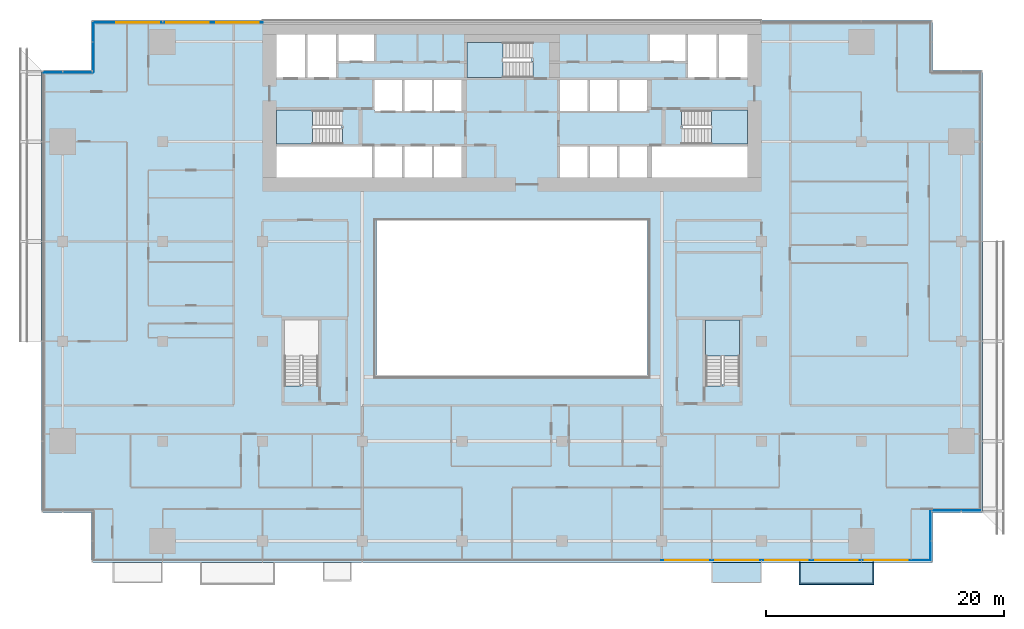
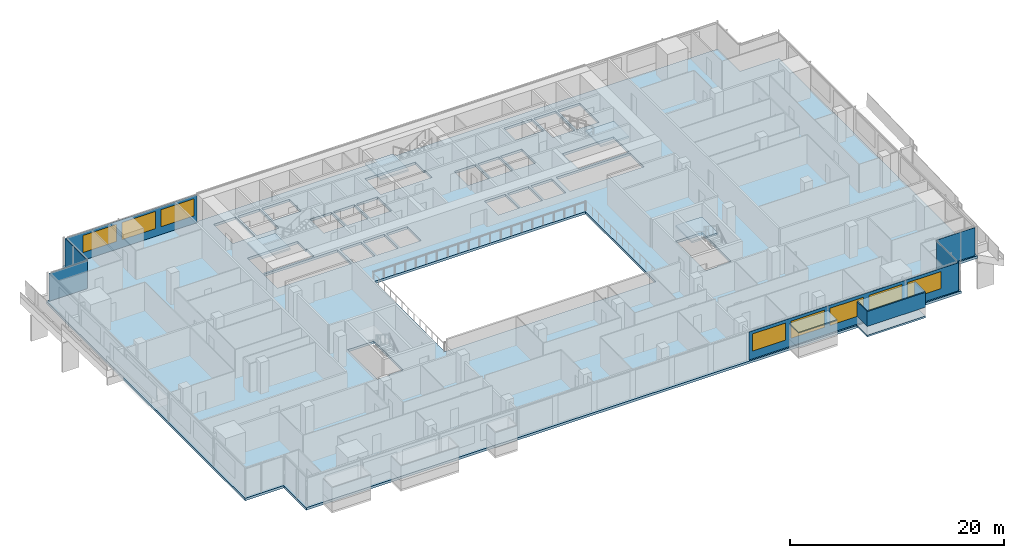
# One storey, part 16 of 28: 9 plates, 8 windows, 6 slabs, 8 openings, 10 elements without a shape of their own.
"""IFC4 building model written with IfcOpenShell, lengths in metres."""

from ifc_helpers import new_model, si_unit, direction, frame, frame_2d, origin, place, context, subcontext, project, spatial, polyline, rectangle, outline, extrude, material, layer, layer_set, type_object, element, fill, aggregate, save


model = new_model("IFC4")

# Units and contexts
model_context = context("Model", 3, precision=1e-05, world=origin(), true_north=direction((0.0, 1.0)))
body_context = subcontext(model_context, "Body", "Model", "MODEL_VIEW")
ifc_project = project(units=[si_unit("LENGTHUNIT", "METRE"), si_unit("AREAUNIT", "SQUARE_METRE"), si_unit("VOLUMEUNIT", "CUBIC_METRE"), si_unit("PLANEANGLEUNIT", "RADIAN"), si_unit("MASSUNIT", "GRAM", prefix="KILO")], contexts=[model_context])

# Site, building, storey
site_placement = place(None, origin())
site = spatial("IfcSite", under=ifc_project, at=site_placement, CompositionType="ELEMENT")
building_placement = place(site_placement, origin())
building = spatial("IfcBuilding", under=site, at=building_placement, Name="Saffron Gate Tower", CompositionType="ELEMENT")
storey_placement = place(building_placement, frame((0.0, 0.0, 51.60009765625)))
storey = spatial("IfcBuildingStorey", under=building, at=storey_placement, Name="L11", CompositionType="ELEMENT", Elevation=51.60009765625)

# Curtain wall, plate, openings, windows
ifc_material_1 = material(Name="Aluminium, bronze anodised", Category="aluminium")
curtain_wall_type_1 = type_object("IfcCurtainWallType", Name="CWS1 curtain wall front facade", PredefinedType="NOTDEFINED", material=ifc_material_1)
curtain_wall_1_placement = place(storey_placement, origin())
curtain_wall_1 = element("IfcCurtainWall", 1, at=curtain_wall_1_placement, inside=storey, type_object=curtain_wall_type_1, Name="CWS1 run 1", PredefinedType="NOTDEFINED")
ifc_material_2 = material(Name="Fritted bronze-tinted laminated glass", Category="glass")
ifc_layer_1 = layer(ifc_material_2, 0.028076171875)
ifc_layer_set_1 = layer_set([ifc_layer_1], Name="CWS1 fixed glass")
plate_type_1 = type_object("IfcPlateType", Name="CWS1 fixed glass", PredefinedType="CURTAIN_PANEL", material=ifc_layer_set_1)
plate_1_placement = place(storey_placement, frame((100.169921875, 30.174072265625, 0.0), z_axis=(0.0, 0.0, 1.0), x_axis=(1.0, 0.0, 0.0)))
plate_1 = element("IfcPlate", 2, at=plate_1_placement, type_object=plate_type_1, Name="CWS1 glass panel", PredefinedType="CURTAIN_PANEL", context=body_context, shape_type="SweptSolid", body=[
    extrude(rectangle(XDim=22.64208984375, YDim=0.028076171875, at=frame_2d((11.321044921875, 0.0))), origin(), (0.0, 0.0, 1.0), 3.199951171875),
])
opening_1_placement = place(plate_1_placement, frame((0.330078125, 0.0, 0.89990234375)))
opening_1 = element("IfcOpeningElement", 3, at=opening_1_placement, cuts=plate_1, Name="Opening W1", PredefinedType="OPENING", context=body_context, shape_type="SweptSolid", body=[
    extrude(rectangle(XDim=3.60009765625, YDim=1.949951171875, at=frame_2d((1.800048828125, 0.97509765625))), frame((0.0, 0.02392578125, 0.0), z_axis=(0.0, -1.0, 0.0), x_axis=(1.0, 0.0, 0.0)), (0.0, 0.0, 1.0), 0.048095703125),
])
opening_2_placement = place(plate_1_placement, frame((4.530029296875, 0.0, 0.89990234375)))
opening_2 = element("IfcOpeningElement", 4, at=opening_2_placement, cuts=plate_1, Name="Opening W1", PredefinedType="OPENING", context=body_context, shape_type="SweptSolid", body=[
    extrude(rectangle(XDim=3.60009765625, YDim=1.949951171875, at=frame_2d((1.800048828125, 0.97509765625))), frame((0.0, 0.02392578125, 0.0), z_axis=(0.0, -1.0, 0.0), x_axis=(1.0, 0.0, 0.0)), (0.0, 0.0, 1.0), 0.048095703125),
])
opening_3_placement = place(plate_1_placement, frame((8.72998046875, 0.0, 0.89990234375)))
opening_3 = element("IfcOpeningElement", 5, at=opening_3_placement, cuts=plate_1, Name="Opening W1", PredefinedType="OPENING", context=body_context, shape_type="SweptSolid", body=[
    extrude(rectangle(XDim=3.60009765625, YDim=1.949951171875, at=frame_2d((1.800048828125, 0.97509765625))), frame((0.0, 0.02392578125, 0.0), z_axis=(0.0, -1.0, 0.0), x_axis=(1.0, 0.0, 0.0)), (0.0, 0.0, 1.0), 0.048095703125),
])
opening_4_placement = place(plate_1_placement, frame((12.929931640625, 0.0, 0.89990234375)))
opening_4 = element("IfcOpeningElement", 6, at=opening_4_placement, cuts=plate_1, Name="Opening W1", PredefinedType="OPENING", context=body_context, shape_type="SweptSolid", body=[
    extrude(rectangle(XDim=3.60009765625, YDim=1.949951171875, at=frame_2d((1.800048828125, 0.97509765625))), frame((0.0, 0.02392578125, 0.0), z_axis=(0.0, -1.0, 0.0), x_axis=(1.0, 0.0, 0.0)), (0.0, 0.0, 1.0), 0.048095703125),
])
opening_5_placement = place(plate_1_placement, frame((17.1298828125, 0.0, 0.89990234375)))
opening_5 = element("IfcOpeningElement", 7, at=opening_5_placement, cuts=plate_1, Name="Opening W1", PredefinedType="OPENING", context=body_context, shape_type="SweptSolid", body=[
    extrude(rectangle(XDim=3.60009765625, YDim=1.949951171875, at=frame_2d((1.800048828125, 0.97509765625))), frame((0.0, 0.02392578125, 0.0), z_axis=(0.0, -1.0, 0.0), x_axis=(1.0, 0.0, 0.0)), (0.0, 0.0, 1.0), 0.048095703125),
])
ifc_material_3 = material(Name="Fritted bronze-tinted laminated glass in bronze frame", Category="glass")
ifc_layer_2 = layer(ifc_material_3, 0.06005859375)
ifc_layer_set_2 = layer_set([ifc_layer_2], Name="W1 operable panel 3600x1950")
window_type = type_object("IfcWindowType", Name="W1 operable panel 3600x1950", PartitioningType="DOUBLE_PANEL_HORIZONTAL", PredefinedType="WINDOW", material=ifc_layer_set_2)
window_1_placement = place(opening_1_placement, origin())
window_1 = element("IfcWindow", 8, at=window_1_placement, type_object=window_type, Name="W1 operable panel", OverallHeight=1.949951171875, OverallWidth=3.60009765625, PartitioningType="SINGLE_PANEL", PredefinedType="WINDOW", context=body_context, shape_type="SweptSolid", body=[
    extrude(rectangle(XDim=3.60009765625, YDim=1.949951171875, at=frame_2d((1.800048828125, 0.97509765625))), frame((0.0, 0.013671875, 0.0), z_axis=(0.0, -1.0, 0.0), x_axis=(1.0, 0.0, 0.0)), (0.0, 0.0, 1.0), 0.027587890625),
])
fill(opening_1, window_1)
window_2_placement = place(opening_2_placement, origin())
window_2 = element("IfcWindow", 9, at=window_2_placement, type_object=window_type, Name="W1 operable panel", OverallHeight=1.949951171875, OverallWidth=3.60009765625, PartitioningType="SINGLE_PANEL", PredefinedType="WINDOW", context=body_context, shape_type="SweptSolid", body=[
    extrude(rectangle(XDim=3.60009765625, YDim=1.949951171875, at=frame_2d((1.800048828125, 0.97509765625))), frame((0.0, 0.013671875, 0.0), z_axis=(0.0, -1.0, 0.0), x_axis=(1.0, 0.0, 0.0)), (0.0, 0.0, 1.0), 0.027587890625),
])
fill(opening_2, window_2)
window_3_placement = place(opening_3_placement, origin())
window_3 = element("IfcWindow", 10, at=window_3_placement, type_object=window_type, Name="W1 operable panel", OverallHeight=1.949951171875, OverallWidth=3.60009765625, PartitioningType="SINGLE_PANEL", PredefinedType="WINDOW", context=body_context, shape_type="SweptSolid", body=[
    extrude(rectangle(XDim=3.60009765625, YDim=1.949951171875, at=frame_2d((1.800048828125, 0.97509765625))), frame((0.0, 0.013671875, 0.0), z_axis=(0.0, -1.0, 0.0), x_axis=(1.0, 0.0, 0.0)), (0.0, 0.0, 1.0), 0.027587890625),
])
fill(opening_3, window_3)
window_4_placement = place(opening_4_placement, origin())
window_4 = element("IfcWindow", 11, at=window_4_placement, type_object=window_type, Name="W1 operable panel", OverallHeight=1.949951171875, OverallWidth=3.60009765625, PartitioningType="SINGLE_PANEL", PredefinedType="WINDOW", context=body_context, shape_type="SweptSolid", body=[
    extrude(rectangle(XDim=3.60009765625, YDim=1.949951171875, at=frame_2d((1.800048828125, 0.97509765625))), frame((0.0, 0.013671875, 0.0), z_axis=(0.0, -1.0, 0.0), x_axis=(1.0, 0.0, 0.0)), (0.0, 0.0, 1.0), 0.027587890625),
])
fill(opening_4, window_4)
window_5_placement = place(opening_5_placement, origin())
window_5 = element("IfcWindow", 12, at=window_5_placement, type_object=window_type, Name="W1 operable panel", OverallHeight=1.949951171875, OverallWidth=3.60009765625, PartitioningType="SINGLE_PANEL", PredefinedType="WINDOW", context=body_context, shape_type="SweptSolid", body=[
    extrude(rectangle(XDim=3.60009765625, YDim=1.949951171875, at=frame_2d((1.800048828125, 0.97509765625))), frame((0.0, 0.013671875, 0.0), z_axis=(0.0, -1.0, 0.0), x_axis=(1.0, 0.0, 0.0)), (0.0, 0.0, 1.0), 0.027587890625),
])
fill(opening_5, window_5)
aggregate(curtain_wall_1, [plate_1, window_1, window_2, window_3, window_4, window_5])

curtain_wall_type_2 = type_object("IfcCurtainWallType", Name="CWS3 curtain wall rear facade", PredefinedType="NOTDEFINED", material=ifc_material_1)
curtain_wall_2_placement = place(storey_placement, origin())
curtain_wall_2 = element("IfcCurtainWall", 13, at=curtain_wall_2_placement, inside=storey, type_object=curtain_wall_type_2, Name="CWS3 run 7", PredefinedType="NOTDEFINED")
ifc_material_4 = material(Name="Fritted grey-tinted laminated glass", Category="glass")
ifc_layer_3 = layer(ifc_material_4, 0.028076171875)
ifc_layer_set_3 = layer_set([ifc_layer_3], Name="CWS3 fixed glass")
plate_type_2 = type_object("IfcPlateType", Name="CWS3 fixed glass", PredefinedType="CURTAIN_PANEL", material=ifc_layer_set_3)
plate_2_placement = place(storey_placement, frame((66.635009765625, 75.426025390625, 0.0), z_axis=(0.0, 0.0, 1.0), x_axis=(-1.0, 0.0, 0.0)))
plate_2 = element("IfcPlate", 14, at=plate_2_placement, type_object=plate_type_2, Name="CWS3 glass panel", PredefinedType="CURTAIN_PANEL", context=body_context, shape_type="SweptSolid", body=[
    extrude(rectangle(XDim=14.2470703125, YDim=0.028076171875, at=frame_2d((7.12353515625, 0.0))), origin(), (0.0, 0.0, 1.0), 3.199951171875),
])
opening_6_placement = place(plate_2_placement, frame((0.3349609375, 0.0, 0.89990234375)))
opening_6 = element("IfcOpeningElement", 15, at=opening_6_placement, cuts=plate_2, Name="Opening W1", PredefinedType="OPENING", context=body_context, shape_type="SweptSolid", body=[
    extrude(rectangle(XDim=3.60009765625, YDim=1.949951171875, at=frame_2d((1.800048828125, 0.97509765625))), frame((0.0, 0.02392578125, 0.0), z_axis=(0.0, -1.0, 0.0), x_axis=(1.0, 0.0, 0.0)), (0.0, 0.0, 1.0), 0.048095703125),
])
opening_7_placement = place(plate_2_placement, frame((4.534912109375, 0.0, 0.89990234375)))
opening_7 = element("IfcOpeningElement", 16, at=opening_7_placement, cuts=plate_2, Name="Opening W1", PredefinedType="OPENING", context=body_context, shape_type="SweptSolid", body=[
    extrude(rectangle(XDim=3.60009765625, YDim=1.949951171875, at=frame_2d((1.800048828125, 0.97509765625))), frame((0.0, 0.02392578125, 0.0), z_axis=(0.0, -1.0, 0.0), x_axis=(1.0, 0.0, 0.0)), (0.0, 0.0, 1.0), 0.048095703125),
])
opening_8_placement = place(plate_2_placement, frame((8.735107421875, 0.0, 0.89990234375)))
opening_8 = element("IfcOpeningElement", 17, at=opening_8_placement, cuts=plate_2, Name="Opening W1", PredefinedType="OPENING", context=body_context, shape_type="SweptSolid", body=[
    extrude(rectangle(XDim=3.60009765625, YDim=1.949951171875, at=frame_2d((1.800048828125, 0.97509765625))), frame((0.0, 0.02392578125, 0.0), z_axis=(0.0, -1.0, 0.0), x_axis=(1.0, 0.0, 0.0)), (0.0, 0.0, 1.0), 0.048095703125),
])
window_6_placement = place(opening_6_placement, origin())
window_6 = element("IfcWindow", 18, at=window_6_placement, type_object=window_type, Name="W1 operable panel", OverallHeight=1.949951171875, OverallWidth=3.60009765625, PartitioningType="SINGLE_PANEL", PredefinedType="WINDOW", context=body_context, shape_type="SweptSolid", body=[
    extrude(rectangle(XDim=3.60009765625, YDim=1.949951171875, at=frame_2d((1.800048828125, 0.97509765625))), frame((0.0, 0.013671875, 0.0), z_axis=(0.0, -1.0, 0.0), x_axis=(1.0, 0.0, 0.0)), (0.0, 0.0, 1.0), 0.027587890625),
])
fill(opening_6, window_6)
window_7_placement = place(opening_7_placement, origin())
window_7 = element("IfcWindow", 19, at=window_7_placement, type_object=window_type, Name="W1 operable panel", OverallHeight=1.949951171875, OverallWidth=3.60009765625, PartitioningType="SINGLE_PANEL", PredefinedType="WINDOW", context=body_context, shape_type="SweptSolid", body=[
    extrude(rectangle(XDim=3.60009765625, YDim=1.949951171875, at=frame_2d((1.800048828125, 0.97509765625))), frame((0.0, 0.013671875, 0.0), z_axis=(0.0, -1.0, 0.0), x_axis=(1.0, 0.0, 0.0)), (0.0, 0.0, 1.0), 0.027587890625),
])
fill(opening_7, window_7)
window_8_placement = place(opening_8_placement, origin())
window_8 = element("IfcWindow", 20, at=window_8_placement, type_object=window_type, Name="W1 operable panel", OverallHeight=1.949951171875, OverallWidth=3.60009765625, PartitioningType="SINGLE_PANEL", PredefinedType="WINDOW", context=body_context, shape_type="SweptSolid", body=[
    extrude(rectangle(XDim=3.60009765625, YDim=1.949951171875, at=frame_2d((1.800048828125, 0.97509765625))), frame((0.0, 0.013671875, 0.0), z_axis=(0.0, -1.0, 0.0), x_axis=(1.0, 0.0, 0.0)), (0.0, 0.0, 1.0), 0.027587890625),
])
fill(opening_8, window_8)
aggregate(curtain_wall_2, [plate_2, window_6, window_7, window_8])

# Curtain wall, plate
curtain_wall_type_3 = type_object("IfcCurtainWallType", Name="CWS4 curtain wall corner returns", PredefinedType="NOTDEFINED", material=ifc_material_1)
curtain_wall_3_placement = place(storey_placement, origin())
curtain_wall_3 = element("IfcCurtainWall", 21, at=curtain_wall_3_placement, inside=storey, type_object=curtain_wall_type_3, Name="CWS4 run 2", PredefinedType="NOTDEFINED")
ifc_layer_4 = layer(ifc_material_2, 0.028076171875)
ifc_layer_set_4 = layer_set([ifc_layer_4], Name="CWS4 fixed glass")
plate_type_3 = type_object("IfcPlateType", Name="CWS4 fixed glass", PredefinedType="CURTAIN_PANEL", material=ifc_layer_set_4)
plate_3_placement = place(storey_placement, frame((122.825927734375, 30.18798828125, 0.0), z_axis=(0.0, 0.0, 1.0), x_axis=(0.0, 1.0, 0.0)))
plate_3 = element("IfcPlate", 22, at=plate_3_placement, type_object=plate_type_3, Name="CWS4 glass panel", PredefinedType="CURTAIN_PANEL", context=body_context, shape_type="SweptSolid", body=[
    extrude(rectangle(XDim=4.172119140625, YDim=0.028076171875, at=frame_2d((2.0859375, 0.0))), origin(), (0.0, 0.0, 1.0), 3.199951171875),
])
aggregate(curtain_wall_3, [plate_3])

curtain_wall_4_placement = place(storey_placement, origin())
curtain_wall_4 = element("IfcCurtainWall", 23, at=curtain_wall_4_placement, inside=storey, type_object=curtain_wall_type_3, Name="CWS4 run 3", PredefinedType="NOTDEFINED")
plate_4_placement = place(storey_placement, frame((122.840087890625, 34.3740234375, 0.0), z_axis=(0.0, 0.0, 1.0), x_axis=(1.0, 0.0, 0.0)))
plate_4 = element("IfcPlate", 24, at=plate_4_placement, type_object=plate_type_3, Name="CWS4 glass panel", PredefinedType="CURTAIN_PANEL", context=body_context, shape_type="SweptSolid", body=[
    extrude(rectangle(XDim=4.171875, YDim=0.028076171875, at=frame_2d((2.0859375, 0.0))), origin(), (0.0, 0.0, 1.0), 3.199951171875),
])
aggregate(curtain_wall_4, [plate_4])

curtain_wall_5_placement = place(storey_placement, origin())
curtain_wall_5 = element("IfcCurtainWall", 25, at=curtain_wall_5_placement, inside=storey, type_object=curtain_wall_type_3, Name="CWS4 run 8", PredefinedType="NOTDEFINED")
plate_5_placement = place(storey_placement, frame((52.3740234375, 75.412109375, 0.0), z_axis=(0.0, 0.0, 1.0), x_axis=(0.0, -1.0, 0.0)))
plate_5 = element("IfcPlate", 26, at=plate_5_placement, type_object=plate_type_3, Name="CWS4 glass panel", PredefinedType="CURTAIN_PANEL", context=body_context, shape_type="SweptSolid", body=[
    extrude(rectangle(XDim=4.172119140625, YDim=0.028076171875, at=frame_2d((2.0859375, 0.0))), origin(), (0.0, 0.0, 1.0), 3.199951171875),
])
aggregate(curtain_wall_5, [plate_5])

curtain_wall_6_placement = place(storey_placement, origin())
curtain_wall_6 = element("IfcCurtainWall", 27, at=curtain_wall_6_placement, inside=storey, type_object=curtain_wall_type_3, Name="CWS4 run 9", PredefinedType="NOTDEFINED")
plate_6_placement = place(storey_placement, frame((52.360107421875, 71.22607421875, 0.0), z_axis=(0.0, 0.0, 1.0), x_axis=(-1.0, 0.0, 0.0)))
plate_6 = element("IfcPlate", 28, at=plate_6_placement, type_object=plate_type_3, Name="CWS4 glass panel", PredefinedType="CURTAIN_PANEL", context=body_context, shape_type="SweptSolid", body=[
    extrude(rectangle(XDim=4.172119140625, YDim=0.028076171875, at=frame_2d((2.0859375, 0.0))), origin(), (0.0, 0.0, 1.0), 3.199951171875),
])
aggregate(curtain_wall_6, [plate_6])

# Slab
ifc_material_5 = material(Name="Concrete C40", Category="concrete")
ifc_layer_5 = layer(ifc_material_5, 0.280029296875)
ifc_layer_set_5 = layer_set([ifc_layer_5], Name="S2 FLOOR SLAB 280 CONCRETE C40")
slab_type_1 = type_object("IfcSlabType", Name="S2 FLOOR SLAB 280 CONCRETE C40", PredefinedType="FLOOR", material=ifc_layer_set_5)
slab_1_placement = place(storey_placement, frame((0.0, 0.0, -0.280029296875)))
element("IfcSlab", 29, at=slab_1_placement, inside=storey, type_object=slab_type_1, Name="S2 FLOOR SLAB", PredefinedType="FLOOR", context=body_context, shape_type="SweptSolid", body=[
    extrude(outline(polyline([(48.0, 34.199951171875), (52.199951171875, 34.199951171875), (52.199951171875, 30.0), (123.0, 30.0), (123.0, 34.199951171875), (127.199951171875, 34.199951171875), (127.199951171875, 71.39990234375), (123.0, 71.39990234375), (123.0, 75.60009765625), (52.199951171875, 75.60009765625), (52.199951171875, 71.39990234375), (48.0, 71.39990234375), (48.0, 34.199951171875)]), holes=[polyline([(67.800048828125, 62.39990234375), (67.800048828125, 65.0), (75.800048828125, 65.0), (75.800048828125, 62.39990234375), (67.800048828125, 62.39990234375)]), polyline([(67.800048828125, 65.199951171875), (67.800048828125, 68.050048828125), (73.25, 68.050048828125), (73.25, 66.550048828125), (73.34912109375, 66.550048828125), (73.34912109375, 65.199951171875), (67.800048828125, 65.199951171875)]), polyline([(67.800048828125, 70.800048828125), (67.800048828125, 74.39990234375), (70.199951171875, 74.39990234375), (70.199951171875, 70.800048828125), (67.800048828125, 70.800048828125)]), polyline([(68.449951171875, 44.85107421875), (68.449951171875, 50.39990234375), (71.300048828125, 50.39990234375), (71.300048828125, 44.949951171875), (69.800048828125, 44.949951171875), (69.800048828125, 44.85107421875), (68.449951171875, 44.85107421875)]), polyline([(70.39990234375, 70.800048828125), (70.39990234375, 74.39990234375), (72.800048828125, 74.39990234375), (72.800048828125, 70.800048828125), (70.39990234375, 70.800048828125)]), polyline([(73.0, 72.199951171875), (73.0, 74.39990234375), (76.0, 74.39990234375), (76.0, 72.199951171875), (73.0, 72.199951171875)]), polyline([(76.050048828125, 62.39990234375), (76.050048828125, 65.0), (78.35009765625, 65.0), (78.35009765625, 62.39990234375), (76.050048828125, 62.39990234375)]), polyline([(76.050048828125, 68.0), (76.050048828125, 70.60009765625), (78.35009765625, 70.60009765625), (78.35009765625, 68.0), (76.050048828125, 68.0)]), polyline([(76.199951171875, 45.60009765625), (76.199951171875, 58.800048828125), (99.0, 58.800048828125), (99.0, 45.60009765625), (76.199951171875, 45.60009765625)]), polyline([(78.550048828125, 62.39990234375), (78.550048828125, 65.0), (80.85009765625, 65.0), (80.85009765625, 62.39990234375), (78.550048828125, 62.39990234375)]), polyline([(78.550048828125, 68.0), (78.550048828125, 70.60009765625), (80.85009765625, 70.60009765625), (80.85009765625, 68.0), (78.550048828125, 68.0)]), polyline([(81.050048828125, 62.39990234375), (81.050048828125, 65.0), (83.35009765625, 65.0), (83.35009765625, 62.39990234375), (81.050048828125, 62.39990234375)]), polyline([(81.050048828125, 68.0), (81.050048828125, 70.60009765625), (83.35009765625, 70.60009765625), (83.35009765625, 68.0), (81.050048828125, 68.0)]), polyline([(83.800048828125, 70.800048828125), (83.800048828125, 73.75), (89.25, 73.75), (89.25, 72.14990234375), (89.34912109375, 72.14990234375), (89.34912109375, 70.800048828125), (83.800048828125, 70.800048828125)]), polyline([(91.64990234375, 62.39990234375), (91.64990234375, 65.0), (93.949951171875, 65.0), (93.949951171875, 62.39990234375), (91.64990234375, 62.39990234375)]), polyline([(91.64990234375, 68.0), (91.64990234375, 70.60009765625), (93.949951171875, 70.60009765625), (93.949951171875, 68.0), (91.64990234375, 68.0)]), polyline([(94.14990234375, 62.39990234375), (94.14990234375, 65.0), (96.449951171875, 65.0), (96.449951171875, 62.39990234375), (94.14990234375, 62.39990234375)]), polyline([(94.14990234375, 68.0), (94.14990234375, 70.60009765625), (96.449951171875, 70.60009765625), (96.449951171875, 68.0), (94.14990234375, 68.0)]), polyline([(96.64990234375, 62.39990234375), (96.64990234375, 65.0), (98.949951171875, 65.0), (98.949951171875, 62.39990234375), (96.64990234375, 62.39990234375)]), polyline([(96.64990234375, 68.0), (96.64990234375, 70.60009765625), (98.949951171875, 70.60009765625), (98.949951171875, 68.0), (96.64990234375, 68.0)]), polyline([(99.199951171875, 72.199951171875), (99.199951171875, 74.39990234375), (102.199951171875, 74.39990234375), (102.199951171875, 72.199951171875), (99.199951171875, 72.199951171875)]), polyline([(99.39990234375, 62.39990234375), (99.39990234375, 65.0), (107.39990234375, 65.0), (107.39990234375, 62.39990234375), (99.39990234375, 62.39990234375)]), polyline([(101.85107421875, 66.699951171875), (101.85107421875, 68.050048828125), (107.39990234375, 68.050048828125), (107.39990234375, 65.199951171875), (101.949951171875, 65.199951171875), (101.949951171875, 66.699951171875), (101.85107421875, 66.699951171875)]), polyline([(102.39990234375, 70.800048828125), (102.39990234375, 74.39990234375), (104.800048828125, 74.39990234375), (104.800048828125, 70.800048828125), (102.39990234375, 70.800048828125)]), polyline([(103.89990234375, 44.85107421875), (103.89990234375, 50.39990234375), (106.75, 50.39990234375), (106.75, 44.949951171875), (105.25, 44.949951171875), (105.25, 44.85107421875), (103.89990234375, 44.85107421875)]), polyline([(105.0, 70.800048828125), (105.0, 74.39990234375), (107.39990234375, 74.39990234375), (107.39990234375, 70.800048828125), (105.0, 70.800048828125)])]), origin(), (0.0, 0.0, 1.0), 0.280029296875),
])

# Stair, slab
stair_type = type_object("IfcStairType", Name="ST7 Stair 1350 wide, 20 risers of 180", PredefinedType="HALF_TURN_STAIR", material=ifc_material_5)
stair_1_placement = place(storey_placement, origin())
stair_1 = element("IfcStair", 30, at=stair_1_placement, inside=storey, type_object=stair_type, Name="L11 Exit stair A", PredefinedType="HALF_TURN_STAIR")
ifc_layer_6 = layer(ifc_material_5, 0.199951171875)
ifc_layer_set_6 = layer_set([ifc_layer_6], Name="SL1 Stair landing 200")
slab_type_2 = type_object("IfcSlabType", Name="SL1 Stair landing 200", PredefinedType="LANDING", material=ifc_layer_set_6)
slab_2_placement = place(storey_placement, frame((0.0, 0.0, 1.599853515625)))
slab_2 = element("IfcSlab", 31, at=slab_2_placement, type_object=slab_type_2, Name="ST-A landing 1", PredefinedType="LANDING", context=body_context, shape_type="SweptSolid", body=[
    extrude(outline(polyline([(70.830078125, 68.050048828125), (67.800048828125, 68.050048828125), (67.800048828125, 65.199951171875), (70.830078125, 65.199951171875), (70.830078125, 68.050048828125)])), origin(), (0.0, 0.0, 1.0), 0.199951171875),
])
aggregate(stair_1, [slab_2])

stair_2_placement = place(storey_placement, origin())
stair_2 = element("IfcStair", 32, at=stair_2_placement, inside=storey, type_object=stair_type, Name="L11 Exit stair B", PredefinedType="HALF_TURN_STAIR")
slab_3_placement = place(storey_placement, frame((0.0, 0.0, 1.599853515625)))
slab_3 = element("IfcSlab", 33, at=slab_3_placement, type_object=slab_type_2, Name="ST-B landing 1", PredefinedType="LANDING", context=body_context, shape_type="SweptSolid", body=[
    extrude(outline(polyline([(104.3701171875, 65.199951171875), (107.39990234375, 65.199951171875), (107.39990234375, 68.050048828125), (104.3701171875, 68.050048828125), (104.3701171875, 65.199951171875)])), origin(), (0.0, 0.0, 1.0), 0.199951171875),
])
aggregate(stair_2, [slab_3])

stair_3_placement = place(storey_placement, origin())
stair_3 = element("IfcStair", 34, at=stair_3_placement, inside=storey, type_object=stair_type, Name="L11 Exit stair C", PredefinedType="HALF_TURN_STAIR")
slab_4_placement = place(storey_placement, frame((0.0, 0.0, 1.599853515625)))
slab_4 = element("IfcSlab", 35, at=slab_4_placement, type_object=slab_type_2, Name="ST-C landing 1", PredefinedType="LANDING", context=body_context, shape_type="SweptSolid", body=[
    extrude(outline(polyline([(86.830078125, 73.75), (83.800048828125, 73.75), (83.800048828125, 70.800048828125), (86.830078125, 70.800048828125), (86.830078125, 73.75)])), origin(), (0.0, 0.0, 1.0), 0.199951171875),
])
aggregate(stair_3, [slab_4])

stair_4_placement = place(storey_placement, origin())
stair_4 = element("IfcStair", 36, at=stair_4_placement, inside=storey, type_object=stair_type, Name="L11 Exit stair E", PredefinedType="HALF_TURN_STAIR")
slab_5_placement = place(storey_placement, frame((0.0, 0.0, 1.599853515625)))
slab_5 = element("IfcSlab", 37, at=slab_5_placement, type_object=slab_type_2, Name="ST-E landing 1", PredefinedType="LANDING", context=body_context, shape_type="SweptSolid", body=[
    extrude(outline(polyline([(106.75, 47.3701171875), (106.75, 50.39990234375), (103.89990234375, 50.39990234375), (103.89990234375, 47.3701171875), (106.75, 47.3701171875)])), origin(), (0.0, 0.0, 1.0), 0.199951171875),
])
aggregate(stair_4, [slab_5])

# Slab
ifc_material_6 = material(Name="Timber deck on bronze frame", Category="wood")
ifc_layer_7 = layer(ifc_material_6, 0.199951171875)
ifc_layer_set_7 = layer_set([ifc_layer_7], Name="WB1 box floor")
slab_type_3 = type_object("IfcSlabType", Name="WB1 box floor", PredefinedType="FLOOR", material=ifc_layer_set_7)
slab_6_placement = place(storey_placement, frame((0.0, 0.0, -0.2001953125)))
element("IfcSlab", 38, at=slab_6_placement, inside=storey, type_object=slab_type_3, Name="WINDOW BOX floor", PredefinedType="FLOOR", context=body_context, shape_type="SweptSolid", body=[
    extrude(outline(polyline([(111.75, 30.0), (118.050048828125, 30.0), (118.050048828125, 28.133056640625), (111.75, 28.133056640625), (111.75, 30.0)])), origin(), (0.0, 0.0, 1.0), 0.2001953125),
])

# Plates
ifc_layer_8 = layer(ifc_material_1, 0.1201171875)
ifc_layer_set_8 = layer_set([ifc_layer_8], Name="WB2 box roof")
plate_type_4 = type_object("IfcPlateType", Name="WB2 box roof", PredefinedType="SHEET", material=ifc_layer_set_8)
plate_7_placement = place(storey_placement, frame((0.0, 0.0, 2.699951171875)))
element("IfcPlate", 39, at=plate_7_placement, inside=storey, type_object=plate_type_4, Name="WINDOW BOX roof", PredefinedType="SHEET", context=body_context, shape_type="SweptSolid", body=[
    extrude(outline(polyline([(104.39990234375, 30.0), (108.60009765625, 30.0), (108.60009765625, 28.26708984375), (104.39990234375, 28.26708984375), (104.39990234375, 30.0)])), origin(), (0.0, 0.0, 1.0), 0.119873046875),
])
plate_8_placement = place(storey_placement, frame((0.0, 0.0, 2.699951171875)))
element("IfcPlate", 40, at=plate_8_placement, inside=storey, type_object=plate_type_4, Name="WINDOW BOX roof", PredefinedType="SHEET", context=body_context, shape_type="SweptSolid", body=[
    extrude(outline(polyline([(111.75, 30.0), (118.050048828125, 30.0), (118.050048828125, 28.133056640625), (111.75, 28.133056640625), (111.75, 30.0)])), origin(), (0.0, 0.0, 1.0), 0.119873046875),
])
ifc_material_7 = material(Name="Clear low-iron laminated glass", Category="glass")
ifc_layer_9 = layer(ifc_material_7, 0.10009765625)
ifc_layer_set_9 = layer_set([ifc_layer_9], Name="WB6 box glazing")
plate_type_5 = type_object("IfcPlateType", Name="WB6 box glazing", PredefinedType="SHEET", material=ifc_layer_set_9)
plate_9_placement = place(storey_placement, frame((0.0, 0.0, 1.0)))
element("IfcPlate", 41, at=plate_9_placement, inside=storey, type_object=plate_type_5, Name="WINDOW BOX glazing", PredefinedType="SHEET", context=body_context, shape_type="SweptSolid", body=[
    extrude(outline(polyline([(111.75, 30.0), (111.85009765625, 30.0), (111.85009765625, 28.23291015625), (117.949951171875, 28.23291015625), (117.949951171875, 30.0), (118.050048828125, 30.0), (118.050048828125, 28.133056640625), (111.75, 28.133056640625), (111.75, 30.0)])), origin(), (0.0, 0.0, 1.0), 1.699951171875),
])

save(model, "model.ifc")
